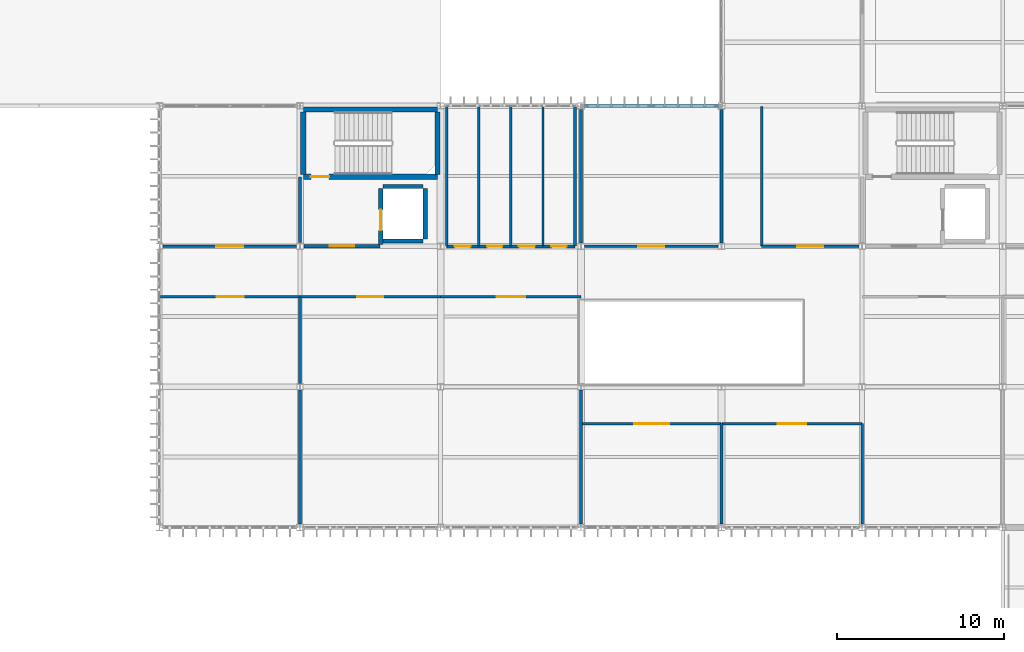
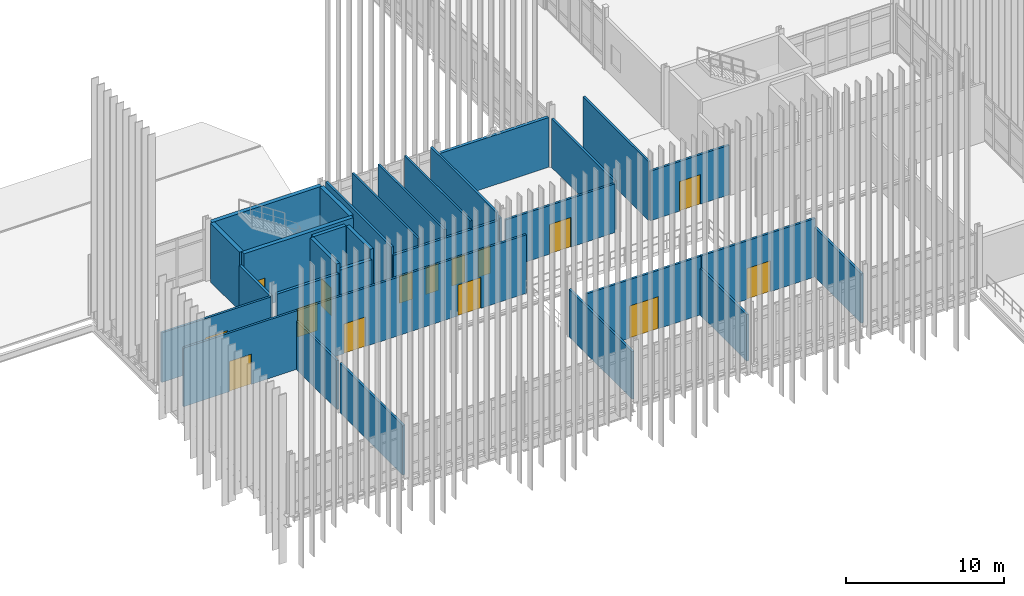
# One storey, part 127 of 153: 33 walls, 15 doors, 15 openings.
"""IFC4 building model written with IfcOpenShell, lengths in metres."""

from ifc_helpers import new_model, si_unit, direction, frame, frame_2d, origin, place, context, subcontext, project, spatial, rectangle, extrude, material, layer, layer_set, type_object, element, fill, save


model = new_model("IFC4")

# Units and contexts
model_context = context("Model", 3, precision=1e-05, world=origin(), true_north=direction((0.0, 1.0)))
body_context = subcontext(model_context, "Body", "Model", "MODEL_VIEW")
ifc_project = project(units=[si_unit("LENGTHUNIT", "METRE"), si_unit("AREAUNIT", "SQUARE_METRE"), si_unit("VOLUMEUNIT", "CUBIC_METRE"), si_unit("PLANEANGLEUNIT", "RADIAN"), si_unit("MASSUNIT", "GRAM", prefix="KILO")], contexts=[model_context])

# Site, building, storey
site_placement = place(None, origin())
site = spatial("IfcSite", under=ifc_project, at=site_placement, CompositionType="ELEMENT")
building_placement = place(site_placement, origin())
building = spatial("IfcBuilding", under=site, at=building_placement, Name="Calvrana Isthmian Art Gallery", CompositionType="ELEMENT")
storey_placement = place(building_placement, frame((0.0, 0.0, 10.199951171875)))
storey = spatial("IfcBuildingStorey", under=building, at=storey_placement, Name="L02", CompositionType="ELEMENT", Elevation=10.199951171875)

# Wall, opening, door
ifc_material_1 = material(Name="Concrete C40/50", Category="concrete")
ifc_layer_1 = layer(ifc_material_1, 0.300048828125, Name="Concrete C40/50")
ifc_layer_set_1 = layer_set([ifc_layer_1], Name="Concrete C40/50")
wall_type_1 = type_object("IfcWallType", Name="CW-SHAFT-300", PredefinedType="SHEAR", material=ifc_layer_set_1)
wall_1_placement = place(storey_placement, frame((30.18994140625, 42.56005859375, 0.0), z_axis=(0.0, 0.0, 1.0), x_axis=(1.0, 0.0, 0.0)))
wall_1 = element("IfcWall", 1, at=wall_1_placement, inside=storey, type_object=wall_type_1, Name="Core C1 shear wall S L02", PredefinedType="SHEAR", context=body_context, shape_type="SweptSolid", body=[
    extrude(rectangle(XDim=8.02001953125, YDim=0.300048828125, at=frame_2d((4.010009765625, 0.0))), origin(), (0.0, 0.0, 1.0), 4.56005859375),
])
opening_1_placement = place(wall_1_placement, frame((0.449951171875, 0.0, 0.0)))
opening_1 = element("IfcOpeningElement", 2, at=opening_1_placement, cuts=wall_1, Name="Opening D-107", PredefinedType="OPENING", context=body_context, shape_type="SweptSolid", body=[
    extrude(rectangle(XDim=1.10009765625, YDim=2.14990234375, at=frame_2d((0.550048828125, 1.074951171875))), frame((0.0, 0.16015625, 0.0), z_axis=(0.0, -1.0, 0.0), x_axis=(1.0, 0.0, 0.0)), (0.0, 0.0, 1.0), 0.320556640625),
])
ifc_material_2 = material(Name="Steel ASTM A572 Gr 50", Category="steel")
door_type_1 = type_object("IfcDoorType", Name="DR-FIRE-1100", OperationType="NOTDEFINED", PredefinedType="DOOR", material=ifc_material_2)
door_1_placement = place(opening_1_placement, origin())
door_1 = element("IfcDoor", 3, at=door_1_placement, inside=storey, type_object=door_type_1, Name="Stair ST-1 fire door L02", OperationType="SINGLE_SWING_RIGHT", OverallHeight=2.14990234375, OverallWidth=1.10009765625, PredefinedType="DOOR", context=body_context, shape_type="SweptSolid", body=[
    extrude(rectangle(XDim=1.10009765625, YDim=2.14990234375, at=frame_2d((0.550048828125, 1.074951171875))), frame((0.0, 0.02490234375, 0.0), z_axis=(0.0, -1.0, 0.0), x_axis=(1.0, 0.0, 0.0)), (0.0, 0.0, 1.0), 0.050048828125),
])
fill(opening_1, door_1)

# Walls
wall_2_placement = place(storey_placement, frame((30.18994140625, 46.580078125, 0.0), z_axis=(0.0, 0.0, 1.0), x_axis=(1.0, 0.0, 0.0)))
element("IfcWall", 4, at=wall_2_placement, inside=storey, type_object=wall_type_1, Name="Core C1 shear wall N L02", PredefinedType="SHEAR", context=body_context, shape_type="SweptSolid", body=[
    extrude(rectangle(XDim=8.02001953125, YDim=0.300048828125, at=frame_2d((4.010009765625, 0.0))), origin(), (0.0, 0.0, 1.0), 4.56005859375),
])
for number, where, z_axis, x_axis, name in (
    (5, (30.18994140625, 42.7099609375, 0.0), (0.0, 0.0, 1.0), (0.0, 1.0, 0.0), "Core C1 shear wall W L02"),
    (6, (38.2099609375, 42.7099609375, 0.0), (0.0, 0.0, 1.0), (0.0, 1.0, 0.0), "Core C1 shear wall E L02"),
):
    element("IfcWall", number, at=place(storey_placement, frame(where, z_axis=z_axis, x_axis=x_axis)), inside=storey, type_object=wall_type_1, Name=name, PredefinedType="SHEAR", context=body_context, shape_type="SweptSolid", body=[
        extrude(rectangle(XDim=3.719970703125, YDim=0.300048828125, at=frame_2d((1.85986328125, 0.0))), origin(), (0.0, 0.0, 1.0), 4.56005859375),
    ])
ifc_material_3 = material(Name="Precast concrete C40/50", Category="concrete")
ifc_layer_2 = layer(ifc_material_3, 0.219970703125, Name="Precast concrete C40/50")
ifc_layer_set_2 = layer_set([ifc_layer_2], Name="Precast concrete C40/50")
wall_type_2 = type_object("IfcWallType", Name="EW-ACOUST-220", PredefinedType="SOLIDWALL", material=ifc_layer_set_2)
wall_3_placement = place(storey_placement, frame((46.99951171875, 46.800048828125, 0.0), z_axis=(0.0, 0.0, 1.0), x_axis=(1.0, 0.0, 0.0)))
element("IfcWall", 7, at=wall_3_placement, inside=storey, type_object=wall_type_2, Name="Exterior wall EW-117", PredefinedType="SOLIDWALL", context=body_context, shape_type="SweptSolid", body=[
    extrude(rectangle(XDim=8.00244140625, YDim=0.219970703125, at=frame_2d((4.001220703125, 0.0))), origin(), (0.0, 0.0, 1.0), 3.84716796875),
])

# Wall, openings, doors
ifc_material_4 = material(Name="Acoustic gypsum ceiling", Category="gypsum")
ifc_layer_3 = layer(ifc_material_4, 0.179931640625, Name="Acoustic gypsum ceiling")
ifc_layer_set_3 = layer_set([ifc_layer_3], Name="Acoustic gypsum ceiling")
wall_type_3 = type_object("IfcWallType", Name="PW-CORR-180", PredefinedType="PARTITIONING", material=ifc_layer_set_3)
wall_4_placement = place(storey_placement, frame((38.760009765625, 38.39990234375, 0.0), z_axis=(0.0, 0.0, 1.0), x_axis=(1.0, 0.0, 0.0)))
wall_4 = element("IfcWall", 8, at=wall_4_placement, inside=storey, type_object=wall_type_3, Name="Interior partition PW-464", PredefinedType="PARTITIONING", context=body_context, shape_type="SweptSolid", body=[
    extrude(rectangle(XDim=7.679931640625, YDim=0.179931640625, at=frame_2d((3.83984375, 0.0))), origin(), (0.0, 0.0, 1.0), 3.927978515625),
])
opening_2_placement = place(wall_4_placement, frame((0.485107421875, 0.0, 0.0)))
opening_2 = element("IfcOpeningElement", 9, at=opening_2_placement, cuts=wall_4, Name="Opening D-435", PredefinedType="OPENING", context=body_context, shape_type="SweptSolid", body=[
    extrude(rectangle(XDim=0.949951171875, YDim=2.10009765625, at=frame_2d((0.47509765625, 1.050048828125))), frame((0.0, 0.10009765625, 0.0), z_axis=(0.0, -1.0, 0.0), x_axis=(1.0, 0.0, 0.0)), (0.0, 0.0, 1.0), 0.200439453125),
])
opening_3_placement = place(wall_4_placement, frame((2.429931640625, 0.0, 0.0)))
opening_3 = element("IfcOpeningElement", 10, at=opening_3_placement, cuts=wall_4, Name="Opening D-436", PredefinedType="OPENING", context=body_context, shape_type="SweptSolid", body=[
    extrude(rectangle(XDim=0.89990234375, YDim=2.10009765625, at=frame_2d((0.449951171875, 1.050048828125))), frame((0.0, 0.10009765625, 0.0), z_axis=(0.0, -1.0, 0.0), x_axis=(1.0, 0.0, 0.0)), (0.0, 0.0, 1.0), 0.200439453125),
])
opening_4_placement = place(wall_4_placement, frame((4.324951171875, 0.0, 0.0)))
opening_4 = element("IfcOpeningElement", 11, at=opening_4_placement, cuts=wall_4, Name="Opening D-437", PredefinedType="OPENING", context=body_context, shape_type="SweptSolid", body=[
    extrude(rectangle(XDim=0.949951171875, YDim=2.10009765625, at=frame_2d((0.47509765625, 1.050048828125))), frame((0.0, 0.10009765625, 0.0), z_axis=(0.0, -1.0, 0.0), x_axis=(1.0, 0.0, 0.0)), (0.0, 0.0, 1.0), 0.200439453125),
])
opening_5_placement = place(wall_4_placement, frame((6.27001953125, 0.0, 0.0)))
opening_5 = element("IfcOpeningElement", 12, at=opening_5_placement, cuts=wall_4, Name="Opening D-438", PredefinedType="OPENING", context=body_context, shape_type="SweptSolid", body=[
    extrude(rectangle(XDim=0.89990234375, YDim=2.10009765625, at=frame_2d((0.449951171875, 1.050048828125))), frame((0.0, 0.10009765625, 0.0), z_axis=(0.0, -1.0, 0.0), x_axis=(1.0, 0.0, 0.0)), (0.0, 0.0, 1.0), 0.200439453125),
])
ifc_material_5 = material(Name="Timber gallery flooring", Category="wood")
door_type_2 = type_object("IfcDoorType", Name="DR-WC-900", OperationType="NOTDEFINED", PredefinedType="DOOR", material=ifc_material_5)
door_2_placement = place(opening_3_placement, origin())
door_2 = element("IfcDoor", 13, at=door_2_placement, inside=storey, type_object=door_type_2, Name="Interior door D-436", OperationType="SINGLE_SWING_RIGHT", OverallHeight=2.10009765625, OverallWidth=0.89990234375, PredefinedType="DOOR", context=body_context, shape_type="SweptSolid", body=[
    extrude(rectangle(XDim=0.89990234375, YDim=2.10009765625, at=frame_2d((0.449951171875, 1.050048828125))), frame((0.0, 0.02490234375, 0.0), z_axis=(0.0, -1.0, 0.0), x_axis=(1.0, 0.0, 0.0)), (0.0, 0.0, 1.0), 0.050048828125),
])
fill(opening_3, door_2)
door_3_placement = place(opening_5_placement, origin())
door_3 = element("IfcDoor", 14, at=door_3_placement, inside=storey, type_object=door_type_2, Name="Interior door D-438", OperationType="SINGLE_SWING_RIGHT", OverallHeight=2.10009765625, OverallWidth=0.89990234375, PredefinedType="DOOR", context=body_context, shape_type="SweptSolid", body=[
    extrude(rectangle(XDim=0.89990234375, YDim=2.10009765625, at=frame_2d((0.449951171875, 1.050048828125))), frame((0.0, 0.02490234375, 0.0), z_axis=(0.0, -1.0, 0.0), x_axis=(1.0, 0.0, 0.0)), (0.0, 0.0, 1.0), 0.050048828125),
])
fill(opening_5, door_3)
door_type_3 = type_object("IfcDoorType", Name="DR-WC-950", OperationType="NOTDEFINED", PredefinedType="DOOR", material=ifc_material_5)
door_4_placement = place(opening_2_placement, origin())
door_4 = element("IfcDoor", 15, at=door_4_placement, inside=storey, type_object=door_type_3, Name="Interior door D-435", OperationType="SINGLE_SWING_LEFT", OverallHeight=2.10009765625, OverallWidth=0.949951171875, PredefinedType="DOOR", context=body_context, shape_type="SweptSolid", body=[
    extrude(rectangle(XDim=0.949951171875, YDim=2.10009765625, at=frame_2d((0.47509765625, 1.050048828125))), frame((0.0, 0.02490234375, 0.0), z_axis=(0.0, -1.0, 0.0), x_axis=(1.0, 0.0, 0.0)), (0.0, 0.0, 1.0), 0.050048828125),
])
fill(opening_2, door_4)
door_5_placement = place(opening_4_placement, origin())
door_5 = element("IfcDoor", 16, at=door_5_placement, inside=storey, type_object=door_type_3, Name="Interior door D-437", OperationType="SINGLE_SWING_LEFT", OverallHeight=2.10009765625, OverallWidth=0.949951171875, PredefinedType="DOOR", context=body_context, shape_type="SweptSolid", body=[
    extrude(rectangle(XDim=0.949951171875, YDim=2.10009765625, at=frame_2d((0.47509765625, 1.050048828125))), frame((0.0, 0.02490234375, 0.0), z_axis=(0.0, -1.0, 0.0), x_axis=(1.0, 0.0, 0.0)), (0.0, 0.0, 1.0), 0.050048828125),
])
fill(opening_4, door_5)

# Wall
ifc_layer_4 = layer(ifc_material_4, 0.199951171875, Name="Acoustic gypsum ceiling")
ifc_layer_set_4 = layer_set([ifc_layer_4], Name="Acoustic gypsum ceiling")
wall_type_4 = type_object("IfcWallType", Name="PW-FIRE-200", PredefinedType="PARTITIONING", material=ifc_layer_set_4)
wall_5_placement = place(storey_placement, frame((30.0, 38.6201171875, 0.0), z_axis=(0.0, 0.0, 1.0), x_axis=(0.0, 1.0, 0.0)))
element("IfcWall", 17, at=wall_5_placement, inside=storey, type_object=wall_type_4, Name="Core C1 lobby west closure L02", PredefinedType="PARTITIONING", context=body_context, shape_type="SweptSolid", body=[
    extrude(rectangle(XDim=3.919921875, YDim=0.199951171875, at=frame_2d((1.9599609375, 0.0))), origin(), (0.0, 0.0, 1.0), 3.68408203125),
])

# Wall, opening, door
wall_6_placement = place(storey_placement, frame((30.219970703125, 38.39990234375, 0.0), z_axis=(0.0, 0.0, 1.0), x_axis=(1.0, 0.0, 0.0)))
wall_6 = element("IfcWall", 18, at=wall_6_placement, inside=storey, type_object=wall_type_4, Name="Core C1 lobby enclosure L02", PredefinedType="PARTITIONING", context=body_context, shape_type="SweptSolid", body=[
    extrude(rectangle(XDim=4.56005859375, YDim=0.199951171875, at=frame_2d((2.280029296875, 0.0))), origin(), (0.0, 0.0, 1.0), 3.91796875),
])
opening_6_placement = place(wall_6_placement, frame((1.554931640625, 0.0, 0.0)))
opening_6 = element("IfcOpeningElement", 19, at=opening_6_placement, cuts=wall_6, Name="Opening D-108", PredefinedType="OPENING", context=body_context, shape_type="SweptSolid", body=[
    extrude(rectangle(XDim=1.449951171875, YDim=2.199951171875, at=frame_2d((0.72509765625, 1.10009765625))), frame((0.0, 0.1103515625, 0.0), z_axis=(0.0, -1.0, 0.0), x_axis=(1.0, 0.0, 0.0)), (0.0, 0.0, 1.0), 0.220458984375),
])
door_type_4 = type_object("IfcDoorType", Name="DR-LOBBY-1450", OperationType="DOUBLE_DOOR_SINGLE_SWING", PredefinedType="DOOR", material=ifc_material_2)
door_6_placement = place(opening_6_placement, origin())
door_6 = element("IfcDoor", 20, at=door_6_placement, inside=storey, type_object=door_type_4, Name="Core C1 lobby fire door L02", OperationType="DOUBLE_DOOR_SINGLE_SWING", OverallHeight=2.199951171875, OverallWidth=1.449951171875, PredefinedType="DOOR", context=body_context, shape_type="SweptSolid", body=[
    extrude(rectangle(XDim=1.449951171875, YDim=2.199951171875, at=frame_2d((0.72509765625, 1.10009765625))), frame((0.0, 0.02490234375, 0.0), z_axis=(0.0, -1.0, 0.0), x_axis=(1.0, 0.0, 0.0)), (0.0, 0.0, 1.0), 0.050048828125),
])
fill(opening_6, door_6)

ifc_layer_5 = layer(ifc_material_4, 0.159912109375, Name="Acoustic gypsum ceiling")
ifc_layer_set_5 = layer_set([ifc_layer_5], Name="Acoustic gypsum ceiling")
wall_type_5 = type_object("IfcWallType", Name="PW-GAL-160", PredefinedType="PARTITIONING", material=ifc_layer_set_5)
wall_7_placement = place(storey_placement, frame((21.659912109375, 35.389892578125, 0.0), z_axis=(0.0, 0.0, 1.0), x_axis=(1.0, 0.0, 0.0)))
wall_7 = element("IfcWall", 21, at=wall_7_placement, inside=storey, type_object=wall_type_5, Name="Interior partition PW-444", PredefinedType="PARTITIONING", context=body_context, shape_type="SweptSolid", body=[
    extrude(rectangle(XDim=8.330078125, YDim=0.159912109375, at=frame_2d((4.1650390625, 0.0))), origin(), (0.0, 0.0, 1.0), 4.5400390625),
])
opening_7_placement = place(wall_7_placement, frame((3.364990234375, 0.0, 0.0)))
opening_7 = element("IfcOpeningElement", 22, at=opening_7_placement, cuts=wall_7, Name="Opening D-427", PredefinedType="OPENING", context=body_context, shape_type="SweptSolid", body=[
    extrude(rectangle(XDim=1.60009765625, YDim=2.35009765625, at=frame_2d((0.800048828125, 1.175048828125))), frame((0.0, 0.09033203125, 0.0), z_axis=(0.0, -1.0, 0.0), x_axis=(1.0, 0.0, 0.0)), (0.0, 0.0, 1.0), 0.180419921875),
])
door_type_5 = type_object("IfcDoorType", Name="DR-GAL-1600", OperationType="DOUBLE_DOOR_SINGLE_SWING", PredefinedType="DOOR", material=ifc_material_5)
door_7_placement = place(opening_7_placement, origin())
door_7 = element("IfcDoor", 23, at=door_7_placement, inside=storey, type_object=door_type_5, Name="Interior door D-427", OperationType="DOUBLE_DOOR_SINGLE_SWING", OverallHeight=2.35009765625, OverallWidth=1.60009765625, PredefinedType="DOOR", context=body_context, shape_type="SweptSolid", body=[
    extrude(rectangle(XDim=1.60009765625, YDim=2.35009765625, at=frame_2d((0.800048828125, 1.175048828125))), frame((0.0, 0.02490234375, 0.0), z_axis=(0.0, -1.0, 0.0), x_axis=(1.0, 0.0, 0.0)), (0.0, 0.0, 1.0), 0.050048828125),
])
fill(opening_7, door_7)

# Walls
wall_8_placement = place(storey_placement, frame((30.0, 21.805419921875, 0.0), z_axis=(0.0, 0.0, 1.0), x_axis=(0.0, 1.0, 0.0)))
element("IfcWall", 24, at=wall_8_placement, inside=storey, type_object=wall_type_5, Name="Interior partition PW-445", PredefinedType="PARTITIONING", context=body_context, shape_type="SweptSolid", body=[
    extrude(rectangle(XDim=7.9931640625, YDim=0.159912109375, at=frame_2d((3.99658203125, 0.0))), origin(), (0.0, 0.0, 1.0), 3.84716796875),
])
wall_9_placement = place(storey_placement, frame((30.0, 30.201416015625, 0.0), z_axis=(0.0, 0.0, 1.0), x_axis=(0.0, 1.0, 0.0)))
element("IfcWall", 25, at=wall_9_placement, inside=storey, type_object=wall_type_5, Name="Interior partition PW-446", PredefinedType="PARTITIONING", context=body_context, shape_type="SweptSolid", body=[
    extrude(rectangle(XDim=5.178466796875, YDim=0.159912109375, at=frame_2d((2.58935546875, 0.0))), origin(), (0.0, 0.0, 1.0), 3.76806640625),
])

# Wall, opening, door
wall_10_placement = place(storey_placement, frame((30.010009765625, 35.389892578125, 0.0), z_axis=(0.0, 0.0, 1.0), x_axis=(1.0, 0.0, 0.0)))
wall_10 = element("IfcWall", 26, at=wall_10_placement, inside=storey, type_object=wall_type_5, Name="Interior partition PW-447", PredefinedType="PARTITIONING", context=body_context, shape_type="SweptSolid", body=[
    extrude(rectangle(XDim=8.3798828125, YDim=0.159912109375, at=frame_2d((4.18994140625, 0.0))), origin(), (0.0, 0.0, 1.0), 4.5400390625),
])
opening_8_placement = place(wall_10_placement, frame((3.4150390625, 0.0, 0.0)))
opening_8 = element("IfcOpeningElement", 27, at=opening_8_placement, cuts=wall_10, Name="Opening D-428", PredefinedType="OPENING", context=body_context, shape_type="SweptSolid", body=[
    extrude(rectangle(XDim=1.550048828125, YDim=2.300048828125, at=frame_2d((0.77490234375, 1.14990234375))), frame((0.0, 0.09033203125, 0.0), z_axis=(0.0, -1.0, 0.0), x_axis=(1.0, 0.0, 0.0)), (0.0, 0.0, 1.0), 0.180419921875),
])
door_type_6 = type_object("IfcDoorType", Name="DR-AUD-1550", OperationType="DOUBLE_DOOR_SINGLE_SWING", PredefinedType="DOOR", material=ifc_material_5)
door_8_placement = place(opening_8_placement, origin())
door_8 = element("IfcDoor", 28, at=door_8_placement, inside=storey, type_object=door_type_6, Name="Interior door D-428", OperationType="DOUBLE_DOOR_SINGLE_SWING", OverallHeight=2.300048828125, OverallWidth=1.550048828125, PredefinedType="DOOR", context=body_context, shape_type="SweptSolid", body=[
    extrude(rectangle(XDim=1.550048828125, YDim=2.300048828125, at=frame_2d((0.77490234375, 1.14990234375))), frame((0.0, 0.02490234375, 0.0), z_axis=(0.0, -1.0, 0.0), x_axis=(1.0, 0.0, 0.0)), (0.0, 0.0, 1.0), 0.050048828125),
])
fill(opening_8, door_8)

wall_11_placement = place(storey_placement, frame((38.409912109375, 35.389892578125, 0.0), z_axis=(0.0, 0.0, 1.0), x_axis=(1.0, 0.0, 0.0)))
wall_11 = element("IfcWall", 29, at=wall_11_placement, inside=storey, type_object=wall_type_5, Name="Interior partition PW-448", PredefinedType="PARTITIONING", context=body_context, shape_type="SweptSolid", body=[
    extrude(rectangle(XDim=8.380126953125, YDim=0.159912109375, at=frame_2d((4.18994140625, 0.0))), origin(), (0.0, 0.0, 1.0), 4.5400390625),
])
opening_9_placement = place(wall_11_placement, frame((3.340087890625, 0.0, 0.0)))
opening_9 = element("IfcOpeningElement", 30, at=opening_9_placement, cuts=wall_11, Name="Opening D-429", PredefinedType="OPENING", context=body_context, shape_type="SweptSolid", body=[
    extrude(rectangle(XDim=1.699951171875, YDim=2.39990234375, at=frame_2d((0.85009765625, 1.199951171875))), frame((0.0, 0.09033203125, 0.0), z_axis=(0.0, -1.0, 0.0), x_axis=(1.0, 0.0, 0.0)), (0.0, 0.0, 1.0), 0.180419921875),
])
door_type_7 = type_object("IfcDoorType", Name="DR-GAL-1700", OperationType="DOUBLE_DOOR_SINGLE_SWING", PredefinedType="DOOR", material=ifc_material_5)
door_9_placement = place(opening_9_placement, origin())
door_9 = element("IfcDoor", 31, at=door_9_placement, inside=storey, type_object=door_type_7, Name="Interior door D-429", OperationType="DOUBLE_DOOR_SINGLE_SWING", OverallHeight=2.39990234375, OverallWidth=1.699951171875, PredefinedType="DOOR", context=body_context, shape_type="SweptSolid", body=[
    extrude(rectangle(XDim=1.699951171875, YDim=2.39990234375, at=frame_2d((0.85009765625, 1.199951171875))), frame((0.0, 0.02490234375, 0.0), z_axis=(0.0, -1.0, 0.0), x_axis=(1.0, 0.0, 0.0)), (0.0, 0.0, 1.0), 0.050048828125),
])
fill(opening_9, door_9)

# Wall
wall_12_placement = place(storey_placement, frame((46.800048828125, 21.801513671875, 0.0), z_axis=(0.0, 0.0, 1.0), x_axis=(0.0, 1.0, 0.0)))
element("IfcWall", 32, at=wall_12_placement, inside=storey, type_object=wall_type_5, Name="Interior partition PW-449", PredefinedType="PARTITIONING", context=body_context, shape_type="SweptSolid", body=[
    extrude(rectangle(XDim=8.001953125, YDim=0.159912109375, at=frame_2d((4.0009765625, 0.0))), origin(), (0.0, 0.0, 1.0), 3.68408203125),
])

# Wall, opening, door
wall_13_placement = place(storey_placement, frame((46.820068359375, 27.800048828125, 0.0), z_axis=(0.0, 0.0, 1.0), x_axis=(1.0, 0.0, 0.0)))
wall_13 = element("IfcWall", 33, at=wall_13_placement, inside=storey, type_object=wall_type_5, Name="Interior partition PW-450", PredefinedType="PARTITIONING", context=body_context, shape_type="SweptSolid", body=[
    extrude(rectangle(XDim=8.35986328125, YDim=0.159912109375, at=frame_2d((4.179931640625, 0.0))), origin(), (0.0, 0.0, 1.0), 4.5400390625),
])
opening_10_placement = place(wall_13_placement, frame((3.14990234375, 0.0, 0.0)))
opening_10 = element("IfcOpeningElement", 34, at=opening_10_placement, cuts=wall_13, Name="Opening D-430", PredefinedType="OPENING", context=body_context, shape_type="SweptSolid", body=[
    extrude(rectangle(XDim=2.10009765625, YDim=2.5, at=frame_2d((1.050048828125, 1.25))), frame((0.0, 0.09033203125, 0.0), z_axis=(0.0, -1.0, 0.0), x_axis=(1.0, 0.0, 0.0)), (0.0, 0.0, 1.0), 0.180419921875),
])
door_type_8 = type_object("IfcDoorType", Name="DR-GAL-2100", OperationType="DOUBLE_DOOR_SINGLE_SWING", PredefinedType="DOOR", material=ifc_material_5)
door_10_placement = place(opening_10_placement, origin())
door_10 = element("IfcDoor", 35, at=door_10_placement, inside=storey, type_object=door_type_8, Name="Interior door D-430", OperationType="DOUBLE_DOOR_SINGLE_SWING", OverallHeight=2.5, OverallWidth=2.10009765625, PredefinedType="DOOR", context=body_context, shape_type="SweptSolid", body=[
    extrude(rectangle(XDim=2.10009765625, YDim=2.5, at=frame_2d((1.050048828125, 1.25))), frame((0.0, 0.02490234375, 0.0), z_axis=(0.0, -1.0, 0.0), x_axis=(1.0, 0.0, 0.0)), (0.0, 0.0, 1.0), 0.050048828125),
])
fill(opening_10, door_10)

# Wall
wall_14_placement = place(storey_placement, frame((55.199951171875, 21.80810546875, 0.0), z_axis=(0.0, 0.0, 1.0), x_axis=(0.0, 1.0, 0.0)))
element("IfcWall", 36, at=wall_14_placement, inside=storey, type_object=wall_type_5, Name="Interior partition PW-451", PredefinedType="PARTITIONING", context=body_context, shape_type="SweptSolid", body=[
    extrude(rectangle(XDim=5.991943359375, YDim=0.159912109375, at=frame_2d((2.99609375, 0.0))), origin(), (0.0, 0.0, 1.0), 3.613037109375),
])

# Wall, opening, door
wall_15_placement = place(storey_placement, frame((55.219970703125, 27.800048828125, 0.0), z_axis=(0.0, 0.0, 1.0), x_axis=(1.0, 0.0, 0.0)))
wall_15 = element("IfcWall", 37, at=wall_15_placement, inside=storey, type_object=wall_type_5, Name="Interior partition PW-452", PredefinedType="PARTITIONING", context=body_context, shape_type="SweptSolid", body=[
    extrude(rectangle(XDim=8.360107421875, YDim=0.159912109375, at=frame_2d((4.18017578125, 0.0))), origin(), (0.0, 0.0, 1.0), 4.5400390625),
])
opening_11_placement = place(wall_15_placement, frame((3.35009765625, 0.0, 0.0)))
opening_11 = element("IfcOpeningElement", 38, at=opening_11_placement, cuts=wall_15, Name="Opening D-431", PredefinedType="OPENING", context=body_context, shape_type="SweptSolid", body=[
    extrude(rectangle(XDim=1.699951171875, YDim=2.39990234375, at=frame_2d((0.85009765625, 1.199951171875))), frame((0.0, 0.09033203125, 0.0), z_axis=(0.0, -1.0, 0.0), x_axis=(1.0, 0.0, 0.0)), (0.0, 0.0, 1.0), 0.180419921875),
])
door_11_placement = place(opening_11_placement, origin())
door_11 = element("IfcDoor", 39, at=door_11_placement, inside=storey, type_object=door_type_7, Name="Interior door D-431", OperationType="DOUBLE_DOOR_SINGLE_SWING", OverallHeight=2.39990234375, OverallWidth=1.699951171875, PredefinedType="DOOR", context=body_context, shape_type="SweptSolid", body=[
    extrude(rectangle(XDim=1.699951171875, YDim=2.39990234375, at=frame_2d((0.85009765625, 1.199951171875))), frame((0.0, 0.02490234375, 0.0), z_axis=(0.0, -1.0, 0.0), x_axis=(1.0, 0.0, 0.0)), (0.0, 0.0, 1.0), 0.050048828125),
])
fill(opening_11, door_11)

# Wall
wall_16_placement = place(storey_placement, frame((63.60009765625, 21.805419921875, 0.0), z_axis=(0.0, 0.0, 1.0), x_axis=(0.0, 1.0, 0.0)))
element("IfcWall", 40, at=wall_16_placement, inside=storey, type_object=wall_type_5, Name="Interior partition PW-453", PredefinedType="PARTITIONING", context=body_context, shape_type="SweptSolid", body=[
    extrude(rectangle(XDim=5.99462890625, YDim=0.159912109375, at=frame_2d((2.997314453125, 0.0))), origin(), (0.0, 0.0, 1.0), 3.84716796875),
])

# Wall, opening, door
wall_17_placement = place(storey_placement, frame((21.800537109375, 38.39990234375, 0.0), z_axis=(0.0, 0.0, 1.0), x_axis=(1.0, 0.0, 0.0)))
wall_17 = element("IfcWall", 41, at=wall_17_placement, inside=storey, type_object=wall_type_5, Name="Interior partition PW-458", PredefinedType="PARTITIONING", context=body_context, shape_type="SweptSolid", body=[
    extrude(rectangle(XDim=8.00048828125, YDim=0.159912109375, at=frame_2d((4.000244140625, 0.0))), origin(), (0.0, 0.0, 1.0), 3.84716796875),
])
opening_12_placement = place(wall_17_placement, frame((3.2001953125, 0.0, 0.0)))
opening_12 = element("IfcOpeningElement", 42, at=opening_12_placement, cuts=wall_17, Name="Opening D-434", PredefinedType="OPENING", context=body_context, shape_type="SweptSolid", body=[
    extrude(rectangle(XDim=1.60009765625, YDim=2.35009765625, at=frame_2d((0.800048828125, 1.175048828125))), frame((0.0, 0.09033203125, 0.0), z_axis=(0.0, -1.0, 0.0), x_axis=(1.0, 0.0, 0.0)), (0.0, 0.0, 1.0), 0.180419921875),
])
door_12_placement = place(opening_12_placement, origin())
door_12 = element("IfcDoor", 43, at=door_12_placement, inside=storey, type_object=door_type_5, Name="Interior door D-434", OperationType="DOUBLE_DOOR_SINGLE_SWING", OverallHeight=2.35009765625, OverallWidth=1.60009765625, PredefinedType="DOOR", context=body_context, shape_type="SweptSolid", body=[
    extrude(rectangle(XDim=1.60009765625, YDim=2.35009765625, at=frame_2d((0.800048828125, 1.175048828125))), frame((0.0, 0.02490234375, 0.0), z_axis=(0.0, -1.0, 0.0), x_axis=(1.0, 0.0, 0.0)), (0.0, 0.0, 1.0), 0.050048828125),
])
fill(opening_12, door_12)

# Walls
for number, where, z_axis, x_axis, name in (
    (44, (38.760009765625, 38.409912109375, 0.0), (0.0, 0.0, 1.0), (0.0, 1.0, 0.0), "Interior partition PW-462"),
    (45, (46.43994140625, 38.409912109375, 0.0), (0.0, 0.0, 1.0), (0.0, 1.0, 0.0), "Interior partition PW-463"),
):
    element("IfcWall", number, at=place(storey_placement, frame(where, z_axis=z_axis, x_axis=x_axis)), inside=storey, type_object=wall_type_5, Name=name, PredefinedType="PARTITIONING", context=body_context, shape_type="SweptSolid", body=[
        extrude(rectangle(XDim=8.360107421875, YDim=0.159912109375, at=frame_2d((4.18017578125, 0.0))), origin(), (0.0, 0.0, 1.0), 4.5400390625),
    ])
wall_18_placement = place(storey_placement, frame((46.800048828125, 38.59912109375, 0.0), z_axis=(0.0, 0.0, 1.0), x_axis=(0.0, 1.0, 0.0)))
element("IfcWall", 46, at=wall_18_placement, inside=storey, type_object=wall_type_5, Name="Interior partition PW-465", PredefinedType="PARTITIONING", context=body_context, shape_type="SweptSolid", body=[
    extrude(rectangle(XDim=7.992919921875, YDim=0.159912109375, at=frame_2d((3.99658203125, 0.0))), origin(), (0.0, 0.0, 1.0), 3.84716796875),
])

# Wall, opening, door
wall_19_placement = place(storey_placement, frame((47.00146484375, 38.39990234375, 0.0), z_axis=(0.0, 0.0, 1.0), x_axis=(1.0, 0.0, 0.0)))
wall_19 = element("IfcWall", 47, at=wall_19_placement, inside=storey, type_object=wall_type_5, Name="Interior partition PW-466", PredefinedType="PARTITIONING", context=body_context, shape_type="SweptSolid", body=[
    extrude(rectangle(XDim=7.998046875, YDim=0.159912109375, at=frame_2d((3.9990234375, 0.0))), origin(), (0.0, 0.0, 1.0), 3.778076171875),
])
opening_13_placement = place(wall_19_placement, frame((3.22412109375, 0.0, 0.0)))
opening_13 = element("IfcOpeningElement", 48, at=opening_13_placement, cuts=wall_19, Name="Opening D-439", PredefinedType="OPENING", context=body_context, shape_type="SweptSolid", body=[
    extrude(rectangle(XDim=1.550048828125, YDim=2.300048828125, at=frame_2d((0.77490234375, 1.14990234375))), frame((0.0, 0.09033203125, 0.0), z_axis=(0.0, -1.0, 0.0), x_axis=(1.0, 0.0, 0.0)), (0.0, 0.0, 1.0), 0.180419921875),
])
door_13_placement = place(opening_13_placement, origin())
door_13 = element("IfcDoor", 49, at=door_13_placement, inside=storey, type_object=door_type_6, Name="Interior door D-439", OperationType="DOUBLE_DOOR_SINGLE_SWING", OverallHeight=2.300048828125, OverallWidth=1.550048828125, PredefinedType="DOOR", context=body_context, shape_type="SweptSolid", body=[
    extrude(rectangle(XDim=1.550048828125, YDim=2.300048828125, at=frame_2d((0.77490234375, 1.14990234375))), frame((0.0, 0.02490234375, 0.0), z_axis=(0.0, -1.0, 0.0), x_axis=(1.0, 0.0, 0.0)), (0.0, 0.0, 1.0), 0.050048828125),
])
fill(opening_13, door_13)

# Walls
wall_20_placement = place(storey_placement, frame((55.199951171875, 38.596435546875, 0.0), z_axis=(0.0, 0.0, 1.0), x_axis=(0.0, 1.0, 0.0)))
element("IfcWall", 50, at=wall_20_placement, inside=storey, type_object=wall_type_5, Name="Interior partition PW-467", PredefinedType="PARTITIONING", context=body_context, shape_type="SweptSolid", body=[
    extrude(rectangle(XDim=7.998046875, YDim=0.159912109375, at=frame_2d((3.9990234375, 0.0))), origin(), (0.0, 0.0, 1.0), 3.76806640625),
])
wall_21_placement = place(storey_placement, frame((57.60009765625, 38.419921875, 0.0), z_axis=(0.0, 0.0, 1.0), x_axis=(0.0, 1.0, 0.0)))
element("IfcWall", 51, at=wall_21_placement, inside=storey, type_object=wall_type_5, Name="Interior partition PW-468", PredefinedType="PARTITIONING", context=body_context, shape_type="SweptSolid", body=[
    extrude(rectangle(XDim=8.340087890625, YDim=0.159912109375, at=frame_2d((4.169921875, 0.0))), origin(), (0.0, 0.0, 1.0), 4.5400390625),
])

# Wall, opening, door
wall_22_placement = place(storey_placement, frame((57.60009765625, 38.39990234375, 0.0), z_axis=(0.0, 0.0, 1.0), x_axis=(1.0, 0.0, 0.0)))
wall_22 = element("IfcWall", 52, at=wall_22_placement, inside=storey, type_object=wall_type_5, Name="Interior partition PW-469", PredefinedType="PARTITIONING", context=body_context, shape_type="SweptSolid", body=[
    extrude(rectangle(XDim=5.80078125, YDim=0.159912109375, at=frame_2d((2.900390625, 0.0))), origin(), (0.0, 0.0, 1.0), 3.84716796875),
])
opening_14_placement = place(wall_22_placement, frame((2.12548828125, 0.0, 0.0)))
opening_14 = element("IfcOpeningElement", 53, at=opening_14_placement, cuts=wall_22, Name="Opening D-440", PredefinedType="OPENING", context=body_context, shape_type="SweptSolid", body=[
    extrude(rectangle(XDim=1.550048828125, YDim=2.300048828125, at=frame_2d((0.77490234375, 1.14990234375))), frame((0.0, 0.09033203125, 0.0), z_axis=(0.0, -1.0, 0.0), x_axis=(1.0, 0.0, 0.0)), (0.0, 0.0, 1.0), 0.180419921875),
])
door_14_placement = place(opening_14_placement, origin())
door_14 = element("IfcDoor", 54, at=door_14_placement, inside=storey, type_object=door_type_6, Name="Interior door D-440", OperationType="DOUBLE_DOOR_SINGLE_SWING", OverallHeight=2.300048828125, OverallWidth=1.550048828125, PredefinedType="DOOR", context=body_context, shape_type="SweptSolid", body=[
    extrude(rectangle(XDim=1.550048828125, YDim=2.300048828125, at=frame_2d((0.77490234375, 1.14990234375))), frame((0.0, 0.02490234375, 0.0), z_axis=(0.0, -1.0, 0.0), x_axis=(1.0, 0.0, 0.0)), (0.0, 0.0, 1.0), 0.050048828125),
])
fill(opening_14, door_14)

# Walls
ifc_material_6 = material(Name="Concrete C35/45", Category="concrete")
ifc_layer_6 = layer(ifc_material_6, 0.25, Name="Concrete C35/45")
ifc_layer_set_6 = layer_set([ifc_layer_6], Name="Concrete C35/45")
wall_type_6 = type_object("IfcWallType", Name="PW-SHAFT-250", PredefinedType="PARTITIONING", material=ifc_layer_set_6)
wall_23_placement = place(storey_placement, frame((37.47998046875, 38.85009765625, 0.0), z_axis=(0.0, 0.0, 1.0), x_axis=(0.0, 1.0, 0.0)))
element("IfcWall", 55, at=wall_23_placement, inside=storey, type_object=wall_type_6, Name="Lift EL-01 shaft wall E L02", PredefinedType="PARTITIONING", context=body_context, shape_type="SweptSolid", body=[
    extrude(rectangle(XDim=3.0, YDim=0.25, at=frame_2d((1.5, 0.0))), origin(), (0.0, 0.0, 1.0), 4.56005859375),
])
wall_24_placement = place(storey_placement, frame((34.949951171875, 38.719970703125, 0.0), z_axis=(0.0, 0.0, 1.0), x_axis=(1.0, 0.0, 0.0)))
element("IfcWall", 56, at=wall_24_placement, inside=storey, type_object=wall_type_6, Name="Lift EL-01 shaft wall S L02", PredefinedType="PARTITIONING", context=body_context, shape_type="SweptSolid", body=[
    extrude(rectangle(XDim=2.400146484375, YDim=0.25, at=frame_2d((1.2001953125, 0.0))), origin(), (0.0, 0.0, 1.0), 3.91796875),
])
wall_25_placement = place(storey_placement, frame((34.949951171875, 41.97998046875, 0.0), z_axis=(0.0, 0.0, 1.0), x_axis=(1.0, 0.0, 0.0)))
element("IfcWall", 57, at=wall_25_placement, inside=storey, type_object=wall_type_6, Name="Lift EL-01 shaft wall N L02", PredefinedType="PARTITIONING", context=body_context, shape_type="SweptSolid", body=[
    extrude(rectangle(XDim=2.400146484375, YDim=0.25, at=frame_2d((1.2001953125, 0.0))), origin(), (0.0, 0.0, 1.0), 4.56005859375),
])

# Wall, opening, door
wall_26_placement = place(storey_placement, frame((34.820068359375, 38.5, 0.0), z_axis=(0.0, 0.0, 1.0), x_axis=(0.0, 1.0, 0.0)))
wall_26 = element("IfcWall", 58, at=wall_26_placement, inside=storey, type_object=wall_type_6, Name="Lift EL-01 shaft wall W L02", PredefinedType="PARTITIONING", context=body_context, shape_type="SweptSolid", body=[
    extrude(rectangle(XDim=3.35009765625, YDim=0.25, at=frame_2d((1.675048828125, 0.0))), origin(), (0.0, 0.0, 1.0), 4.56005859375),
])
opening_15_placement = place(wall_26_placement, frame((0.85009765625, 0.0, 0.0)))
opening_15 = element("IfcOpeningElement", 59, at=opening_15_placement, cuts=wall_26, Name="Opening LD-01-L02", PredefinedType="OPENING", context=body_context, shape_type="SweptSolid", body=[
    extrude(rectangle(XDim=1.25, YDim=2.14990234375, at=frame_2d((0.625, 1.074951171875))), frame((0.0, 0.13525390625, 0.0), z_axis=(0.0, -1.0, 0.0), x_axis=(1.0, 0.0, 0.0)), (0.0, 0.0, 1.0), 0.2705078125),
])
ifc_material_7 = material(Name="Stainless steel 316", Category="steel")
door_type_9 = type_object("IfcDoorType", Name="DR-LIFT-1250", OperationType="DOUBLE_DOOR_SLIDING", PredefinedType="DOOR", material=ifc_material_7)
door_15_placement = place(opening_15_placement, origin())
door_15 = element("IfcDoor", 60, at=door_15_placement, inside=storey, type_object=door_type_9, Name="Lift EL-01 sliding landing door L02", OperationType="DOUBLE_DOOR_SLIDING", OverallHeight=2.14990234375, OverallWidth=1.25, PredefinedType="DOOR", context=body_context, shape_type="SweptSolid", body=[
    extrude(rectangle(XDim=1.25, YDim=2.14990234375, at=frame_2d((0.625, 1.074951171875))), frame((0.0, 0.02490234375, 0.0), z_axis=(0.0, -1.0, 0.0), x_axis=(1.0, 0.0, 0.0)), (0.0, 0.0, 1.0), 0.050048828125),
])
fill(opening_15, door_15)

# Walls
ifc_layer_7 = layer(ifc_material_4, 0.139892578125, Name="Acoustic gypsum ceiling")
ifc_layer_set_7 = layer_set([ifc_layer_7], Name="Acoustic gypsum ceiling")
wall_type_7 = type_object("IfcWallType", Name="PW-WC-140", PredefinedType="PARTITIONING", material=ifc_layer_set_7)
for number, where, z_axis, x_axis, name in (
    (61, (40.679931640625, 38.409912109375, 0.0), (0.0, 0.0, 1.0), (0.0, 1.0, 0.0), "Interior partition PW-459"),
    (62, (42.60009765625, 38.409912109375, 0.0), (0.0, 0.0, 1.0), (0.0, 1.0, 0.0), "Interior partition PW-460"),
    (63, (44.52001953125, 38.409912109375, 0.0), (0.0, 0.0, 1.0), (0.0, 1.0, 0.0), "Interior partition PW-461"),
):
    element("IfcWall", number, at=place(storey_placement, frame(where, z_axis=z_axis, x_axis=x_axis)), inside=storey, type_object=wall_type_7, Name=name, PredefinedType="PARTITIONING", context=body_context, shape_type="SweptSolid", body=[
        extrude(rectangle(XDim=8.360107421875, YDim=0.139892578125, at=frame_2d((4.18017578125, 0.0))), origin(), (0.0, 0.0, 1.0), 4.5400390625),
    ])

save(model, "model.ifc")
